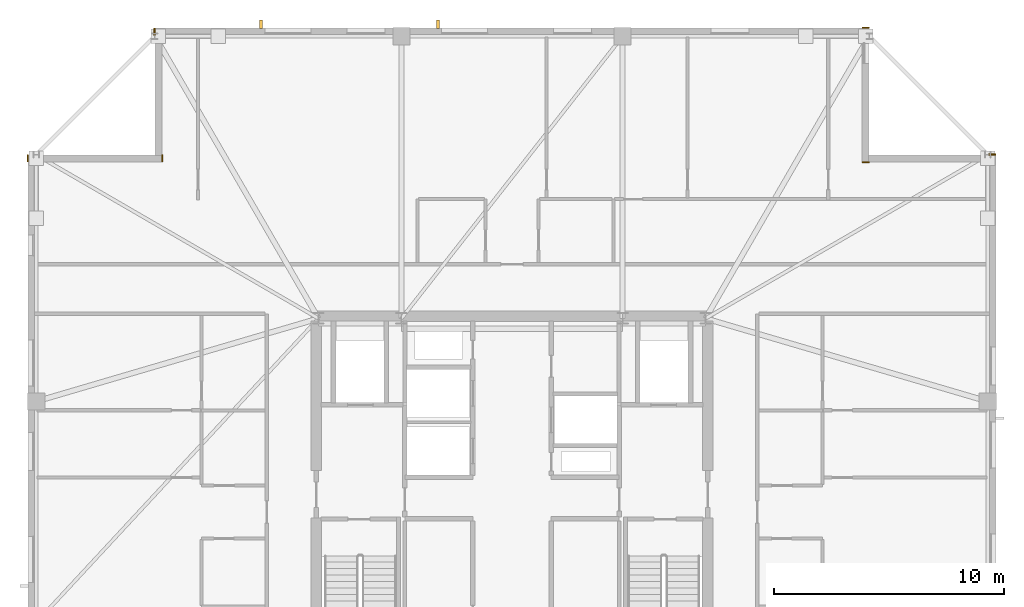
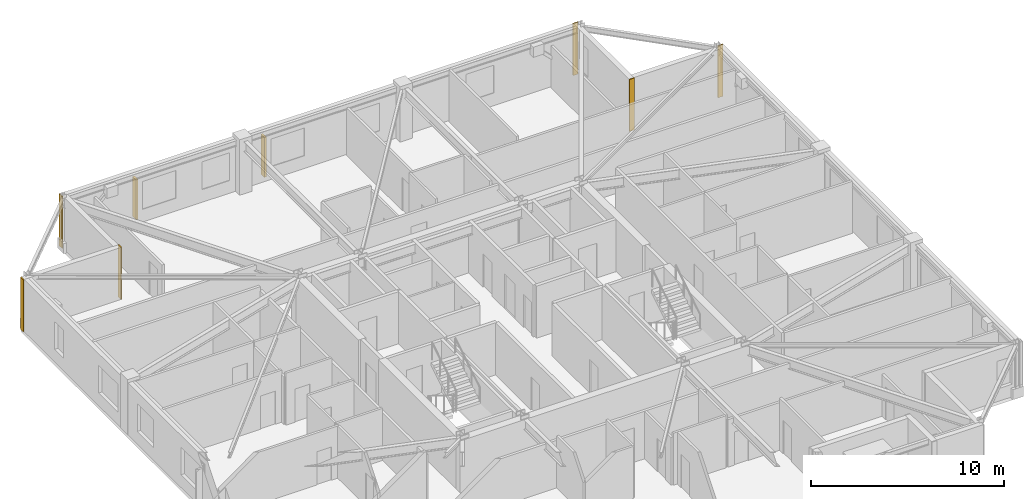
# One storey, part 15 of 15: 6 coverings, 2 shading devices.
"""IFC4 building model written with IfcOpenShell, lengths in metres."""

from ifc_helpers import new_model, si_unit, direction, frame, frame_2d, origin, origin_2d, place, context, subcontext, project, spatial, rectangle, extrude, material, layer, layer_set, type_object, element, save


model = new_model("IFC4")

# Units and contexts
model_context = context("Model", 3, precision=1e-05, world=origin(), true_north=direction((0.0, 1.0)))
body_context = subcontext(model_context, "Body", "Model", "MODEL_VIEW")
ifc_project = project(units=[si_unit("LENGTHUNIT", "METRE"), si_unit("AREAUNIT", "SQUARE_METRE"), si_unit("VOLUMEUNIT", "CUBIC_METRE"), si_unit("PLANEANGLEUNIT", "RADIAN"), si_unit("MASSUNIT", "GRAM", prefix="KILO")], contexts=[model_context])

# Site, building, storey
site_placement = place(None, origin())
site = spatial("IfcSite", under=ifc_project, at=site_placement, CompositionType="ELEMENT")
building_placement = place(site_placement, origin())
building = spatial("IfcBuilding", under=site, at=building_placement, Name="Cairnveth Concourse Tower", CompositionType="ELEMENT")
storey_placement = place(building_placement, frame((0.0, 0.0, 287.5)))
storey = spatial("IfcBuildingStorey", under=building, at=storey_placement, Name="L79", CompositionType="ELEMENT", Elevation=287.5)

# Coverings
ifc_material_1 = material(Name="Dressed Melbourne Bluestone Cladding", Category="masonry")
ifc_layer = layer(ifc_material_1, 0.050048828125)
ifc_layer_set = layer_set([ifc_layer], Name="Dressed Melbourne Bluestone Cladding")
covering_type = type_object("IfcCoveringType", Name="DRESSED BLUESTONE PLINTH CLADDING 50", PredefinedType="CLADDING", material=ifc_layer_set)
for number, where, z_axis, x_axis, name in (
    (1, (30.97998046875, 54.199951171875, 0.0), (0.0, 0.0, 1.0), (0.0, 1.0, 0.0), "Melbourne Bluestone Corner Quoin L79-1199"),
    (2, (36.820068359375, 54.199951171875, 0.0), (0.0, 0.0, 1.0), (0.0, 1.0, 0.0), "Melbourne Bluestone Corner Quoin L79-1200"),
    (3, (36.47998046875, 59.699951171875, 0.0), (0.0, 0.0, 1.0), (0.0, 1.0, 0.0), "Melbourne Bluestone Corner Quoin L79-1201"),
    (4, (67.199951171875, 60.02001953125, 0.0), (0.0, 0.0, 1.0), (1.0, 0.0, 0.0), "Melbourne Bluestone Corner Quoin L79-1202"),
    (5, (67.199951171875, 54.179931640625, 0.0), (0.0, 0.0, 1.0), (1.0, 0.0, 0.0), "Melbourne Bluestone Corner Quoin L79-1203"),
    (6, (72.699951171875, 54.52001953125, 0.0), (0.0, 0.0, 1.0), (1.0, 0.0, 0.0), "Melbourne Bluestone Corner Quoin L79-1204"),
):
    element("IfcCovering", number, at=place(storey_placement, frame(where, z_axis=z_axis, x_axis=x_axis)), inside=storey, type_object=covering_type, Name=name, PredefinedType="CLADDING", context=body_context, shape_type="SweptSolid", body=[
        extrude(rectangle(XDim=0.300048828125, YDim=0.050048828125, at=frame_2d((0.14990234375, 0.0))), origin(), (0.0, 0.0, 1.0), 3.2900390625),
    ])

# Shading devices
ifc_material_2 = material(Name="Architectural Bronze Anodised Aluminium 6063-T6", Category="aluminium")
shading_device_type = type_object("IfcShadingDeviceType", Name="GOTHIC BRONZE VERTICAL LANCET FIN", PredefinedType="USERDEFINED", material=ifc_material_2)
for number, where, z_axis, x_axis, name in (
    (7, (41.1083984375, 60.175048828125, 0.030029296875), (0.0, 0.0, 1.0), (1.0, 0.0, 0.0), "Gothic Bronze Vertical Fin L79-6-1"),
    (8, (48.782470703125, 60.175048828125, 0.030029296875), (0.0, 0.0, 1.0), (1.0, 0.0, 0.0), "Gothic Bronze Vertical Fin L79-6-3"),
):
    element("IfcShadingDevice", number, at=place(storey_placement, frame(where, z_axis=z_axis, x_axis=x_axis)), inside=storey, type_object=shading_device_type, Name=name, ObjectType="VERTICAL FIN", PredefinedType="USERDEFINED", context=body_context, shape_type="SweptSolid", body=[
        extrude(rectangle(XDim=0.1201171875, YDim=0.360107421875, at=origin_2d()), origin(), (0.0, 0.0, 1.0), 2.51806640625),
    ])

save(model, "model.ifc")
